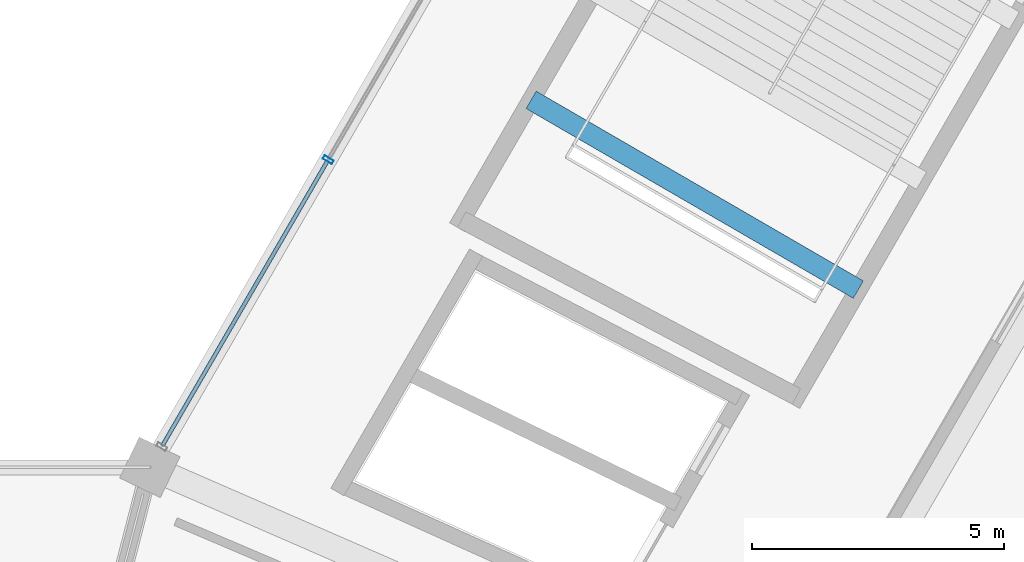
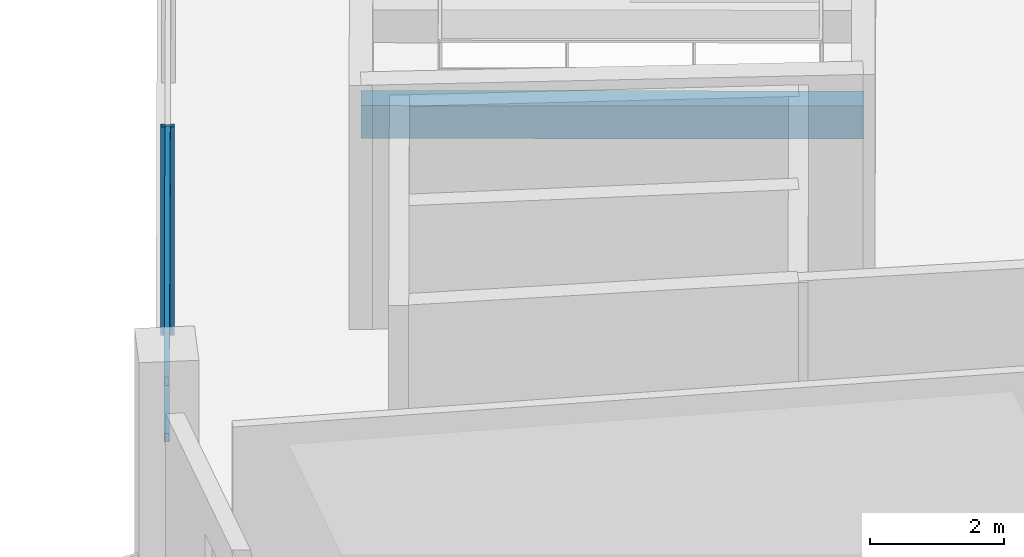
# One storey, part 75 of 171: 3 members, 1 beam, 1 element without a shape of its own.
"""IFC4 building model written with IfcOpenShell, lengths in metres."""

from ifc_helpers import new_model, si_unit, direction, frame, origin, origin_2d, place, context, subcontext, project, spatial, rectangle, hollow_rectangle, extrude, material, layer, layer_set, material_profile, profile_set, type_object, element, aggregate, save


model = new_model("IFC4")

# Units and contexts
model_context = context("Model", 3, precision=1e-05, world=origin(), true_north=direction((0.0, 1.0)))
body_context = subcontext(model_context, "Body", "Model", "MODEL_VIEW")
ifc_project = project(units=[si_unit("LENGTHUNIT", "METRE"), si_unit("AREAUNIT", "SQUARE_METRE"), si_unit("VOLUMEUNIT", "CUBIC_METRE"), si_unit("PLANEANGLEUNIT", "RADIAN"), si_unit("MASSUNIT", "GRAM", prefix="KILO")], contexts=[model_context])

# Site, building, storey
site_placement = place(None, origin())
site = spatial("IfcSite", under=ifc_project, at=site_placement, CompositionType="ELEMENT")
building_placement = place(site_placement, origin())
building = spatial("IfcBuilding", under=site, at=building_placement, Name="Kazemori Nagisa Stadium", CompositionType="ELEMENT")
storey_placement = place(building_placement, frame((0.0, 0.0, 15.639892578125)))
storey = spatial("IfcBuildingStorey", under=building, at=storey_placement, Name="L03", CompositionType="ELEMENT", Elevation=15.639892578125)

# Beam
ifc_material_1 = material(Name="Concrete C40/50 (Fc42)", Category="concrete")
ifc_material_profile_1 = material_profile(ifc_material_1, rectangle(XDim=0.39990234375, YDim=0.60009765625, at=origin_2d()), Name="RC-BM-400x600")
ifc_profile_set_1 = profile_set([ifc_material_profile_1], Name="Concrete C40/50 (Fc42)")
beam_type = type_object("IfcBeamType", Name="Beam_BG-LND400X600", PredefinedType="BEAM", material=ifc_profile_set_1)
beam_placement = place(storey_placement, frame((48.188232421875, 144.27978515625, 1.880126953125), z_axis=(-0.865080539547, 0.50163299343, 0.0), x_axis=(-0.50163299343, -0.865080539547, 0.0)))
element("IfcBeam", 1, at=beam_placement, inside=storey, type_object=beam_type, Name="Core stair mid-landing girder ST08-L03-2", PredefinedType="BEAM", context=body_context, shape_type="SweptSolid", body=[
    extrude(rectangle(XDim=0.39990234375, YDim=0.60009765625, at=origin_2d()), origin(), (0.0, 0.0, 1.0), 7.513916015625),
])

# Curtain wall, members
ifc_material_2 = material(Name="Anodised aluminium 6063-T5", Category="aluminium")
ifc_layer = layer(ifc_material_2, 0.2099609375, Name="Anodised aluminium 6063-T5", Category="aluminium")
ifc_layer_set = layer_set([ifc_layer], Name="Anodised aluminium 6063-T5")
curtain_wall_type = type_object("IfcCurtainWallType", Name="CW_L03R3_99", PredefinedType="USERDEFINED", material=ifc_layer_set)
curtain_wall_placement = place(storey_placement, origin())
curtain_wall = element("IfcCurtainWall", 2, at=curtain_wall_placement, inside=storey, type_object=curtain_wall_type, Name="Unitised curtain wall CW-L03R3-99 L03", ObjectType="UNITISED CURTAIN WALL", PredefinedType="USERDEFINED")
ifc_material_3 = material(Name="Aluminium 6063-T5 anodised", Category="aluminium")
ifc_material_profile_2 = material_profile(ifc_material_3, hollow_rectangle(XDim=0.080078125, YDim=0.2099609375, WallThickness=0.0048828125, at=origin_2d()), Name="ALU-MULL-80x210x5")
ifc_profile_set_2 = profile_set([ifc_material_profile_2], Name="Aluminium 6063-T5 anodised")
member_type_1 = type_object("IfcMemberType", Name="Mullion_M02", PredefinedType="MULLION", material=ifc_profile_set_2)
member_1_placement = place(storey_placement, frame((37.65771484375, 146.859130859375, 0.0), z_axis=(0.0, 0.0, 1.0), x_axis=(-0.501611590054, -0.865092950337, 0.0)))
member_1 = element("IfcMember", 3, at=member_1_placement, type_object=member_type_1, Name="Curtain wall mullion CW-L03R3-99-M3", PredefinedType="MULLION", context=body_context, shape_type="SweptSolid", body=[
    extrude(hollow_rectangle(XDim=0.080078125, YDim=0.2099609375, WallThickness=0.0048828125, at=origin_2d()), origin(), (0.0, 0.0, 1.0), 3.81005859375),
])
ifc_material_profile_3 = material_profile(ifc_material_3, hollow_rectangle(XDim=0.080078125, YDim=0.159912109375, WallThickness=0.00390625, at=origin_2d()), Name="ALU-TRAN-80x160x4")
ifc_profile_set_3 = profile_set([ifc_material_profile_3], Name="Aluminium 6063-T5 anodised")
member_type_2 = type_object("IfcMemberType", Name="Transom_T02", PredefinedType="USERDEFINED", material=ifc_profile_set_3)
member_2_placement = place(storey_placement, frame((37.647705078125, 146.841796875, 2.705322265625), z_axis=(-0.501634382126, -0.865079734284, 0.0), x_axis=(0.865079734284, -0.501634382126, 0.0)))
member_2 = element("IfcMember", 4, at=member_2_placement, type_object=member_type_2, Name="Curtain wall transom CW-L03R3-99-T3-mid", ObjectType="TRANSOM", PredefinedType="USERDEFINED", context=body_context, shape_type="SweptSolid", body=[
    extrude(hollow_rectangle(XDim=0.080078125, YDim=0.159912109375, WallThickness=0.00390625, at=origin_2d()), origin(), (0.0, 0.0, 1.0), 6.54736328125),
])
member_3_placement = place(storey_placement, frame((37.647705078125, 146.841796875, 3.739990234375), z_axis=(-0.501634382126, -0.865079734284, 0.0), x_axis=(0.865079734284, -0.501634382126, 0.0)))
member_3 = element("IfcMember", 5, at=member_3_placement, type_object=member_type_2, Name="Curtain wall transom CW-L03R3-99-T3-head", ObjectType="TRANSOM", PredefinedType="USERDEFINED", context=body_context, shape_type="SweptSolid", body=[
    extrude(hollow_rectangle(XDim=0.080078125, YDim=0.159912109375, WallThickness=0.00390625, at=origin_2d()), origin(), (0.0, 0.0, 1.0), 6.54736328125),
])
aggregate(curtain_wall, [member_1, member_2, member_3])

save(model, "model.ifc")
